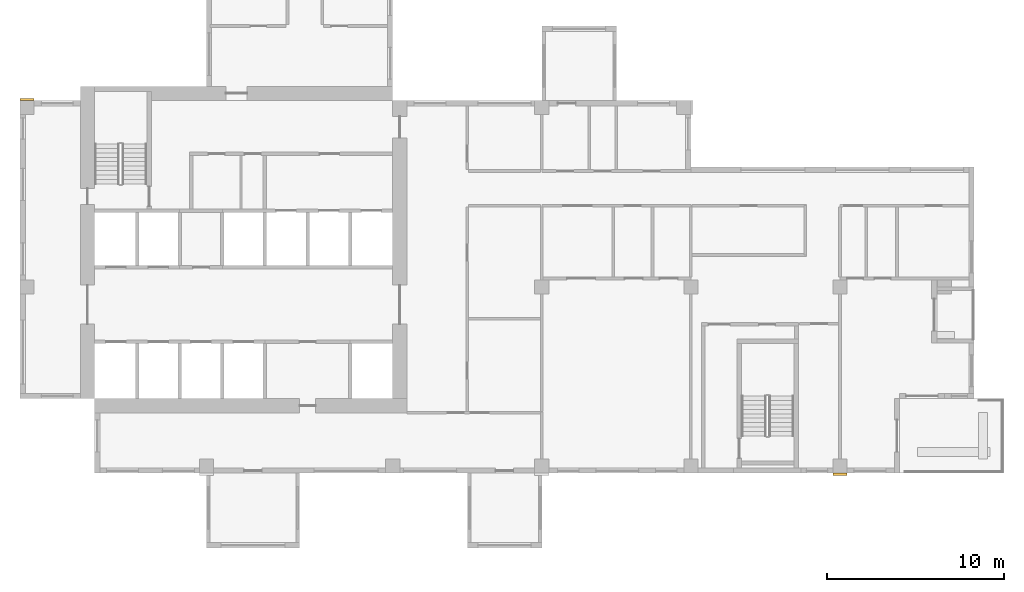
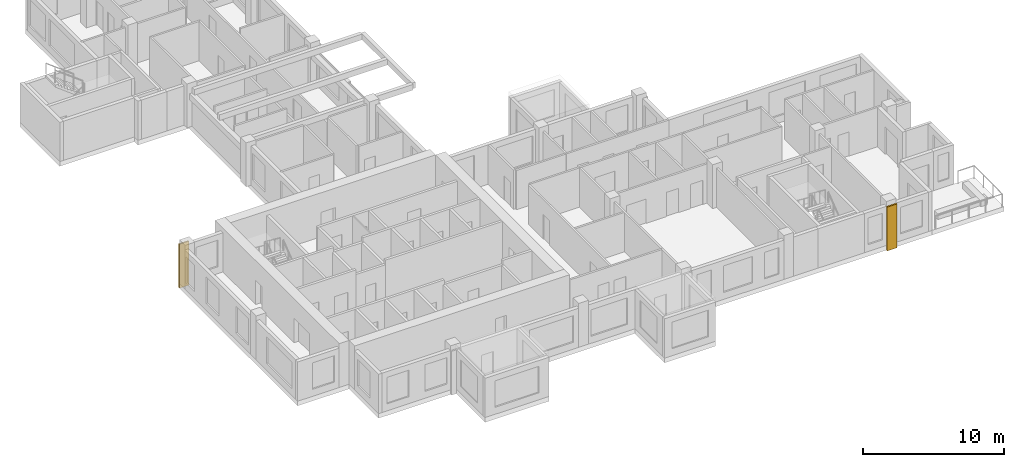
# One storey, part 10 of 12: 2 coverings.
"""IFC4 building model written with IfcOpenShell, lengths in metres."""

from ifc_helpers import new_model, si_unit, direction, frame, origin, origin_2d, place, context, subcontext, project, spatial, rectangle, extrude, source, transform, mapped, material, type_object, element, save


model = new_model("IFC4")

# Units and contexts
model_context = context("Model", 3, precision=1e-05, world=origin(), true_north=direction((0.0, 1.0)))
body_context = subcontext(model_context, "Body", "Model", "MODEL_VIEW")
ifc_project = project(units=[si_unit("LENGTHUNIT", "METRE"), si_unit("AREAUNIT", "SQUARE_METRE"), si_unit("VOLUMEUNIT", "CUBIC_METRE"), si_unit("PLANEANGLEUNIT", "RADIAN"), si_unit("MASSUNIT", "GRAM", prefix="KILO")], contexts=[model_context])

# Site, building, storey
site_placement = place(None, origin())
site = spatial("IfcSite", under=ifc_project, at=site_placement, CompositionType="ELEMENT")
building_placement = place(site_placement, origin())
building = spatial("IfcBuilding", under=site, at=building_placement, Name="Aurelian Terraces", CompositionType="ELEMENT")
storey_placement = place(building_placement, frame((0.0, 0.0, 234.8)))
storey = spatial("IfcBuildingStorey", under=building, at=storey_placement, Name="L53", CompositionType="ELEMENT", Elevation=234.8)

# Coverings
ifc_material = material(Name="Terracotta rainscreen cladding relief", Category="masonry")
covering_type = type_object("IfcCoveringType", Name="BAGUETTE-TC", PredefinedType="CLADDING", material=ifc_material)
shared_shape = source(origin(), body_context, "Body", "SweptSolid", [
    extrude(rectangle(XDim=0.8, YDim=0.12, at=origin_2d()), origin(), (0.0, 0.0, 1.0), 3.8),
])
for number, where, z_axis, x_axis, name in (
    (1, (46.2, -0.06, -0.4), (0.0, 0.0, 1.0), (1.0, 0.0, 0.0), "BAGUETTE pier L53 3"),
    (2, (0.4, 21.06, -0.4), (0.0, 0.0, 1.0), (1.0, 0.0, 0.0), "BAGUETTE pier L53 4"),
):
    element("IfcCovering", number, at=place(storey_placement, frame(where, z_axis=z_axis, x_axis=x_axis)), inside=storey, type_object=covering_type, Name=name, PredefinedType="CLADDING", context=body_context, shape_type="MappedRepresentation", body=[
        mapped(shared_shape, transform((0.0, 0.0, 0.0), scale=1.0)),
    ])

save(model, "model.ifc")
